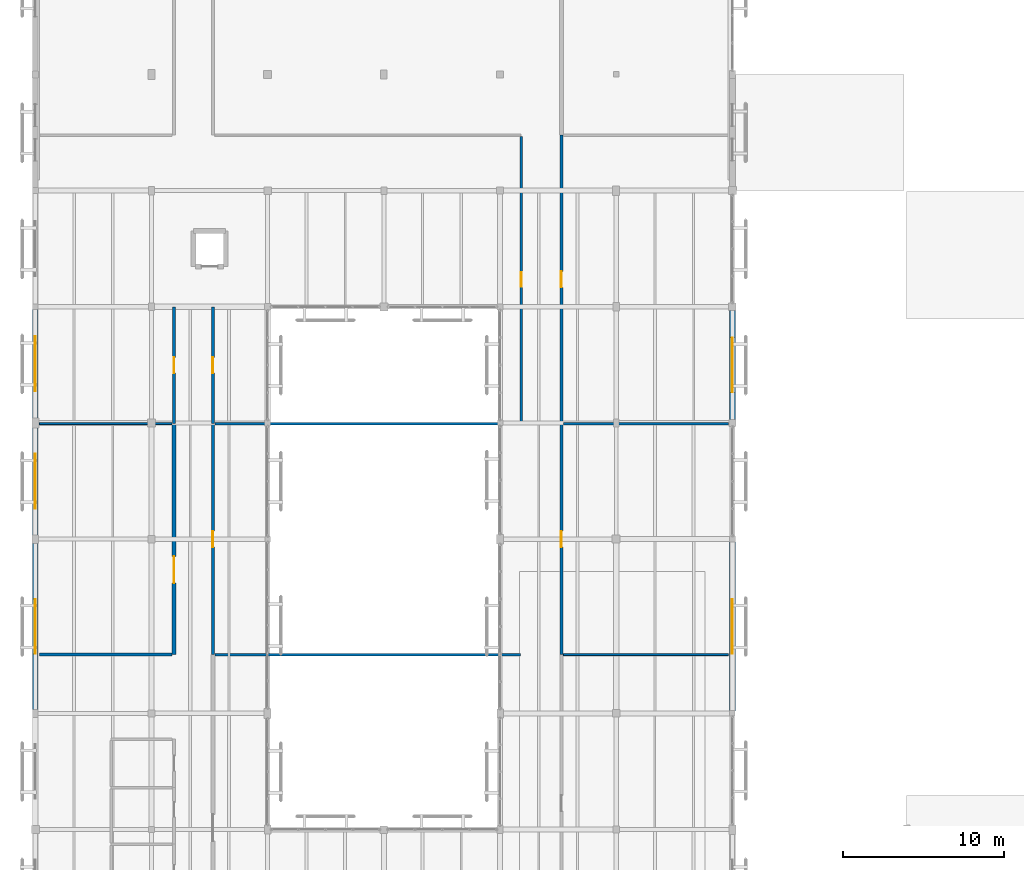
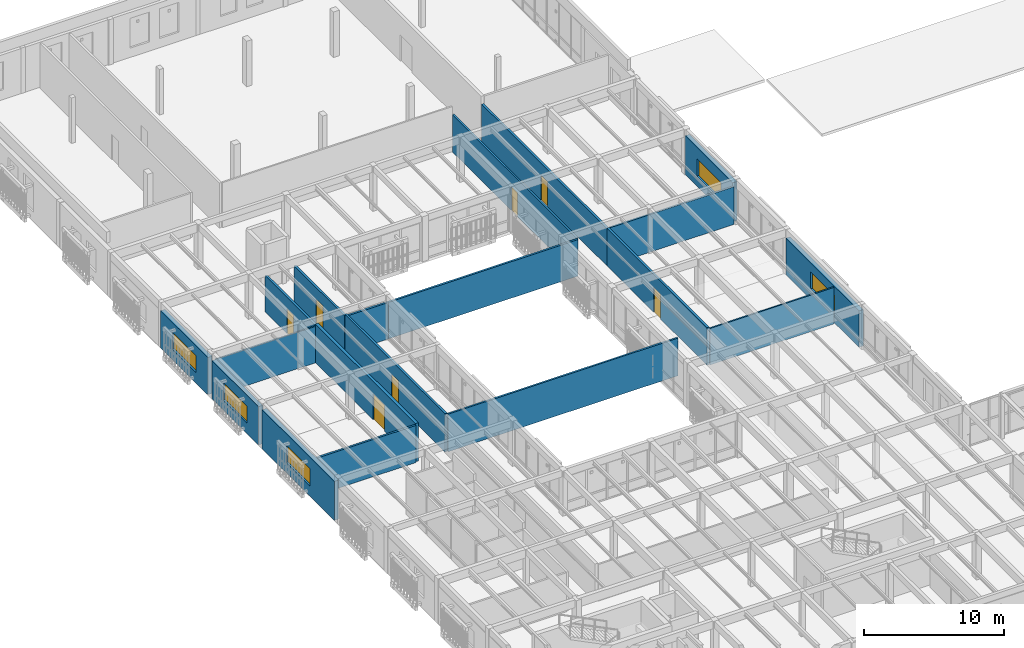
# One storey, part 81 of 112: 19 walls, 7 doors, 5 windows, 12 openings.
"""IFC4 building model written with IfcOpenShell, lengths in metres."""

from ifc_helpers import new_model, si_unit, direction, frame, frame_2d, origin, place, context, subcontext, project, spatial, rectangle, extrude, material, layer, layer_set, type_object, element, fill, save


model = new_model("IFC4")

# Units and contexts
model_context = context("Model", 3, precision=1e-05, world=origin(), true_north=direction((0.0, 1.0)))
body_context = subcontext(model_context, "Body", "Model", "MODEL_VIEW")
ifc_project = project(units=[si_unit("LENGTHUNIT", "METRE"), si_unit("AREAUNIT", "SQUARE_METRE"), si_unit("VOLUMEUNIT", "CUBIC_METRE"), si_unit("PLANEANGLEUNIT", "RADIAN"), si_unit("MASSUNIT", "GRAM", prefix="KILO")], contexts=[model_context])

# Site, building, storey
site_placement = place(None, origin())
site = spatial("IfcSite", under=ifc_project, at=site_placement, CompositionType="ELEMENT")
building_placement = place(site_placement, origin())
building = spatial("IfcBuilding", under=site, at=building_placement, Name="Mazaris Harbour Polytechnic", CompositionType="ELEMENT")
storey_placement = place(building_placement, frame((0.0, 0.0, 13.800048828125)))
storey = spatial("IfcBuildingStorey", under=building, at=storey_placement, Name="L03", CompositionType="ELEMENT", Elevation=13.800048828125)

# Walls
ifc_material_1 = material(Name="Gypsum Board and Mineral Wool")
ifc_layer_1 = layer(ifc_material_1, 0.1201171875, Name="Gypsum Board and Mineral Wool")
ifc_layer_set_1 = layer_set([ifc_layer_1], Name="Gypsum Board and Mineral Wool")
wall_type_1 = type_object("IfcWallType", Name="Acoustic Stud Partition 120", PredefinedType="PARTITIONING", material=ifc_layer_set_1)
wall_1_placement = place(storey_placement, frame((0.25, 61.155029296875, 0.0), z_axis=(0.0, 0.0, 1.0), x_axis=(1.0, 0.0, 0.0)))
element("IfcWall", 1, at=wall_1_placement, inside=storey, type_object=wall_type_1, Name="V4 L03 Partition 413", PredefinedType="PARTITIONING", context=body_context, shape_type="SweptSolid", body=[
    extrude(rectangle(XDim=8.219970703125, YDim=0.1201171875, at=frame_2d((4.10986328125, 0.0))), origin(), (0.0, 0.0, 1.0), 3.179931640625),
])
wall_2_placement = place(storey_placement, frame((32.719970703125, 46.846923828125, 0.0), z_axis=(0.0, 0.0, 1.0), x_axis=(1.0, 0.0, 0.0)))
element("IfcWall", 2, at=wall_2_placement, inside=storey, type_object=wall_type_1, Name="V4 L03 Partition 429", PredefinedType="PARTITIONING", context=body_context, shape_type="SweptSolid", body=[
    extrude(rectangle(XDim=10.22998046875, YDim=0.1201171875, at=frame_2d((5.114990234375, 0.0))), origin(), (0.0, 0.0, 1.0), 3.179931640625),
])

# Wall, opening, door
ifc_material_2 = material(Name="Concrete C35/45", Category="concrete")
ifc_layer_2 = layer(ifc_material_2, 0.239990234375, Name="Concrete C35/45")
ifc_layer_set_2 = layer_set([ifc_layer_2], Name="Concrete C35/45")
wall_type_2 = type_object("IfcWallType", Name="Archive Vault Fire Wall 240", PredefinedType="STANDARD", material=ifc_layer_set_2)
wall_3_placement = place(storey_placement, frame((8.60009765625, 46.846923828125, 0.0), z_axis=(0.0, 0.0, 1.0), x_axis=(0.0, 1.0, 0.0)))
wall_3 = element("IfcWall", 3, at=wall_3_placement, inside=storey, type_object=wall_type_2, Name="V4 L03 Partition 412", PredefinedType="STANDARD", context=body_context, shape_type="SweptSolid", body=[
    extrude(rectangle(XDim=14.30810546875, YDim=0.239990234375, at=frame_2d((7.154052734375, 0.0))), origin(), (0.0, 0.0, 1.0), 3.33984375),
])
opening_1_placement = place(wall_3_placement, frame((4.430419921875, 0.0, 0.0)))
opening_1 = element("IfcOpeningElement", 4, at=opening_1_placement, cuts=wall_3, Name="Opening ID-06D", PredefinedType="OPENING", context=body_context, shape_type="SweptSolid", body=[
    extrude(rectangle(XDim=1.64990234375, YDim=2.25, at=frame_2d((0.824951171875, 1.125))), frame((0.0, 0.1298828125, 0.0), z_axis=(0.0, -1.0, 0.0), x_axis=(1.0, 0.0, 0.0)), (0.0, 0.0, 1.0), 0.260009765625),
])
ifc_material_3 = material(Name="Galvanised Steel S355", Category="steel")
door_type_1 = type_object("IfcDoorType", Name="Plant and Substation Double Door 1650x2250", OperationType="DOUBLE_DOOR_SINGLE_SWING", PredefinedType="DOOR", material=ifc_material_3)
door_1_placement = place(opening_1_placement, origin())
door_1 = element("IfcDoor", 5, at=door_1_placement, inside=storey, type_object=door_type_1, Name="ID-0194", OperationType="DOUBLE_DOOR_SINGLE_SWING", OverallHeight=2.25, OverallWidth=1.64990234375, PredefinedType="DOOR", context=body_context, shape_type="SweptSolid", body=[
    extrude(rectangle(XDim=1.64990234375, YDim=2.25, at=frame_2d((0.824951171875, 1.125))), frame((0.0, 0.02490234375, 0.0), z_axis=(0.0, -1.0, 0.0), x_axis=(1.0, 0.0, 0.0)), (0.0, 0.0, 1.0), 0.050048828125),
])
fill(opening_1, door_1)

# Walls
ifc_material_4 = material(Name="Double Gypsum and Mineral Wool")
ifc_layer_3 = layer(ifc_material_4, 0.14990234375, Name="Double Gypsum and Mineral Wool")
ifc_layer_set_3 = layer_set([ifc_layer_3], Name="Double Gypsum and Mineral Wool")
wall_type_3 = type_object("IfcWallType", Name="Classroom Acoustic Partition 150", PredefinedType="PARTITIONING", material=ifc_layer_set_3)
wall_4_placement = place(storey_placement, frame((11.1298828125, 46.846923828125, 0.0), z_axis=(0.0, 0.0, 1.0), x_axis=(1.0, 0.0, 0.0)))
element("IfcWall", 6, at=wall_4_placement, inside=storey, type_object=wall_type_3, Name="V4 L03 Partition 420", PredefinedType="PARTITIONING", context=body_context, shape_type="SweptSolid", body=[
    extrude(rectangle(XDim=18.9501953125, YDim=0.14990234375, at=frame_2d((9.47509765625, 0.0))), origin(), (0.0, 0.0, 1.0), 3.280029296875),
])
wall_5_placement = place(storey_placement, frame((32.719970703125, 61.155029296875, 0.0), z_axis=(0.0, 0.0, 1.0), x_axis=(1.0, 0.0, 0.0)))
element("IfcWall", 7, at=wall_5_placement, inside=storey, type_object=wall_type_3, Name="V4 L03 Partition 431", PredefinedType="PARTITIONING", context=body_context, shape_type="SweptSolid", body=[
    extrude(rectangle(XDim=10.22998046875, YDim=0.14990234375, at=frame_2d((5.114990234375, 0.0))), origin(), (0.0, 0.0, 1.0), 3.280029296875),
])

# Wall, opening, door
ifc_material_5 = material(Name="Terracotta Block and Plaster", Category="masonry")
ifc_layer_4 = layer(ifc_material_5, 0.179931640625, Name="Terracotta Block and Plaster")
ifc_layer_set_4 = layer_set([ifc_layer_4], Name="Terracotta Block and Plaster")
wall_type_4 = type_object("IfcWallType", Name="Corridor Fire Partition 180", PredefinedType="PARTITIONING", material=ifc_layer_set_4)
wall_6_placement = place(storey_placement, frame((8.60009765625, 61.159912109375, 0.0), z_axis=(0.0, 0.0, 1.0), x_axis=(0.0, 1.0, 0.0)))
wall_6 = element("IfcWall", 8, at=wall_6_placement, inside=storey, type_object=wall_type_4, Name="V4 L03 Partition 414", PredefinedType="PARTITIONING", context=body_context, shape_type="SweptSolid", body=[
    extrude(rectangle(XDim=7.235107421875, YDim=0.179931640625, at=frame_2d((3.61767578125, 0.0))), origin(), (0.0, 0.0, 1.0), 3.179931640625),
])
opening_2_placement = place(wall_6_placement, frame((3.12744140625, 0.0, 0.0)))
opening_2 = element("IfcOpeningElement", 9, at=opening_2_placement, cuts=wall_6, Name="Opening ID-08L", PredefinedType="OPENING", context=body_context, shape_type="SweptSolid", body=[
    extrude(rectangle(XDim=0.97998046875, YDim=2.179931640625, at=frame_2d((0.489990234375, 1.08984375))), frame((0.0, 0.099853515625, 0.0), z_axis=(0.0, -1.0, 0.0), x_axis=(1.0, 0.0, 0.0)), (0.0, 0.0, 1.0), 0.199951171875),
])
ifc_material_6 = material(Name="Solid Oak Timber", Category="wood")
door_type_2 = type_object("IfcDoorType", Name="Seminar Room Door LH 980x2180", OperationType="SINGLE_SWING_LEFT", PredefinedType="DOOR", material=ifc_material_6)
door_2_placement = place(opening_2_placement, origin())
door_2 = element("IfcDoor", 10, at=door_2_placement, inside=storey, type_object=door_type_2, Name="ID-0195", OperationType="SINGLE_SWING_LEFT", OverallHeight=2.179931640625, OverallWidth=0.97998046875, PredefinedType="DOOR", context=body_context, shape_type="SweptSolid", body=[
    extrude(rectangle(XDim=0.97998046875, YDim=2.179931640625, at=frame_2d((0.489990234375, 1.08984375))), frame((0.0, 0.02490234375, 0.0), z_axis=(0.0, -1.0, 0.0), x_axis=(1.0, 0.0, 0.0)), (0.0, 0.0, 1.0), 0.050048828125),
])
fill(opening_2, door_2)

wall_7_placement = place(storey_placement, frame((11.0, 46.85205078125, 0.0), z_axis=(0.0, 0.0, 1.0), x_axis=(0.0, 1.0, 0.0)))
wall_7 = element("IfcWall", 11, at=wall_7_placement, inside=storey, type_object=wall_type_4, Name="V4 L03 Partition 421", PredefinedType="PARTITIONING", context=body_context, shape_type="SweptSolid", body=[
    extrude(rectangle(XDim=14.302978515625, YDim=0.179931640625, at=frame_2d((7.1513671875, 0.0))), origin(), (0.0, 0.0, 1.0), 3.33984375),
])
opening_3_placement = place(wall_7_placement, frame((6.66162109375, 0.0, 0.0)))
opening_3 = element("IfcOpeningElement", 12, at=opening_3_placement, cuts=wall_7, Name="Opening ID-08L", PredefinedType="OPENING", context=body_context, shape_type="SweptSolid", body=[
    extrude(rectangle(XDim=0.97998046875, YDim=2.179931640625, at=frame_2d((0.489990234375, 1.08984375))), frame((0.0, 0.099853515625, 0.0), z_axis=(0.0, -1.0, 0.0), x_axis=(1.0, 0.0, 0.0)), (0.0, 0.0, 1.0), 0.199951171875),
])
door_3_placement = place(opening_3_placement, origin())
door_3 = element("IfcDoor", 13, at=door_3_placement, inside=storey, type_object=door_type_2, Name="ID-0199", OperationType="SINGLE_SWING_LEFT", OverallHeight=2.179931640625, OverallWidth=0.97998046875, PredefinedType="DOOR", context=body_context, shape_type="SweptSolid", body=[
    extrude(rectangle(XDim=0.97998046875, YDim=2.179931640625, at=frame_2d((0.489990234375, 1.08984375))), frame((0.0, 0.02490234375, 0.0), z_axis=(0.0, -1.0, 0.0), x_axis=(1.0, 0.0, 0.0)), (0.0, 0.0, 1.0), 0.050048828125),
])
fill(opening_3, door_3)

wall_8_placement = place(storey_placement, frame((11.0, 61.159912109375, 0.0), z_axis=(0.0, 0.0, 1.0), x_axis=(0.0, 1.0, 0.0)))
wall_8 = element("IfcWall", 14, at=wall_8_placement, inside=storey, type_object=wall_type_4, Name="V4 L03 Partition 423", PredefinedType="PARTITIONING", context=body_context, shape_type="SweptSolid", body=[
    extrude(rectangle(XDim=7.235107421875, YDim=0.179931640625, at=frame_2d((3.61767578125, 0.0))), origin(), (0.0, 0.0, 1.0), 3.179931640625),
])
opening_4_placement = place(wall_8_placement, frame((3.12255859375, 0.0, 0.0)))
opening_4 = element("IfcOpeningElement", 15, at=opening_4_placement, cuts=wall_8, Name="Opening ID-08R", PredefinedType="OPENING", context=body_context, shape_type="SweptSolid", body=[
    extrude(rectangle(XDim=0.989990234375, YDim=2.179931640625, at=frame_2d((0.4951171875, 1.08984375))), frame((0.0, 0.099853515625, 0.0), z_axis=(0.0, -1.0, 0.0), x_axis=(1.0, 0.0, 0.0)), (0.0, 0.0, 1.0), 0.199951171875),
])
ifc_material_7 = material(Name="Solid Oak Timber", Category="wood")
door_type_3 = type_object("IfcDoorType", Name="Seminar Room Door RH 990x2180", OperationType="SINGLE_SWING_RIGHT", PredefinedType="DOOR", material=ifc_material_7)
door_4_placement = place(opening_4_placement, origin())
door_4 = element("IfcDoor", 16, at=door_4_placement, inside=storey, type_object=door_type_3, Name="ID-0200", OperationType="SINGLE_SWING_RIGHT", OverallHeight=2.179931640625, OverallWidth=0.989990234375, PredefinedType="DOOR", context=body_context, shape_type="SweptSolid", body=[
    extrude(rectangle(XDim=0.989990234375, YDim=2.179931640625, at=frame_2d((0.4951171875, 1.08984375))), frame((0.0, 0.02490234375, 0.0), z_axis=(0.0, -1.0, 0.0), x_axis=(1.0, 0.0, 0.0)), (0.0, 0.0, 1.0), 0.050048828125),
])
fill(opening_4, door_4)

wall_9_placement = place(storey_placement, frame((32.60009765625, 46.85205078125, 0.0), z_axis=(0.0, 0.0, 1.0), x_axis=(0.0, 1.0, 0.0)))
wall_9 = element("IfcWall", 17, at=wall_9_placement, inside=storey, type_object=wall_type_4, Name="V4 L03 Partition 430", PredefinedType="PARTITIONING", context=body_context, shape_type="SweptSolid", body=[
    extrude(rectangle(XDim=14.302978515625, YDim=0.179931640625, at=frame_2d((7.1513671875, 0.0))), origin(), (0.0, 0.0, 1.0), 3.280029296875),
])
opening_5_placement = place(wall_9_placement, frame((6.656494140625, 0.0, 0.0)))
opening_5 = element("IfcOpeningElement", 18, at=opening_5_placement, cuts=wall_9, Name="Opening ID-08R", PredefinedType="OPENING", context=body_context, shape_type="SweptSolid", body=[
    extrude(rectangle(XDim=0.989990234375, YDim=2.179931640625, at=frame_2d((0.4951171875, 1.08984375))), frame((0.0, 0.099853515625, 0.0), z_axis=(0.0, -1.0, 0.0), x_axis=(1.0, 0.0, 0.0)), (0.0, 0.0, 1.0), 0.199951171875),
])
door_5_placement = place(opening_5_placement, origin())
door_5 = element("IfcDoor", 19, at=door_5_placement, inside=storey, type_object=door_type_3, Name="ID-0204", OperationType="SINGLE_SWING_RIGHT", OverallHeight=2.179931640625, OverallWidth=0.989990234375, PredefinedType="DOOR", context=body_context, shape_type="SweptSolid", body=[
    extrude(rectangle(XDim=0.989990234375, YDim=2.179931640625, at=frame_2d((0.4951171875, 1.08984375))), frame((0.0, 0.02490234375, 0.0), z_axis=(0.0, -1.0, 0.0), x_axis=(1.0, 0.0, 0.0)), (0.0, 0.0, 1.0), 0.050048828125),
])
fill(opening_5, door_5)

wall_10_placement = place(storey_placement, frame((32.60009765625, 61.159912109375, 0.0), z_axis=(0.0, 0.0, 1.0), x_axis=(0.0, 1.0, 0.0)))
wall_10 = element("IfcWall", 20, at=wall_10_placement, inside=storey, type_object=wall_type_4, Name="V4 L03 Partition 432", PredefinedType="PARTITIONING", context=body_context, shape_type="SweptSolid", body=[
    extrude(rectangle(XDim=17.880126953125, YDim=0.179931640625, at=frame_2d((8.93994140625, 0.0))), origin(), (0.0, 0.0, 1.0), 3.239990234375),
])
opening_6_placement = place(wall_10_placement, frame((8.449951171875, 0.0, 0.0)))
opening_6 = element("IfcOpeningElement", 21, at=opening_6_placement, cuts=wall_10, Name="Opening ID-08L", PredefinedType="OPENING", context=body_context, shape_type="SweptSolid", body=[
    extrude(rectangle(XDim=0.97998046875, YDim=2.179931640625, at=frame_2d((0.489990234375, 1.08984375))), frame((0.0, 0.099853515625, 0.0), z_axis=(0.0, -1.0, 0.0), x_axis=(1.0, 0.0, 0.0)), (0.0, 0.0, 1.0), 0.199951171875),
])
door_6_placement = place(opening_6_placement, origin())
door_6 = element("IfcDoor", 22, at=door_6_placement, inside=storey, type_object=door_type_2, Name="ID-0205", OperationType="SINGLE_SWING_LEFT", OverallHeight=2.179931640625, OverallWidth=0.97998046875, PredefinedType="DOOR", context=body_context, shape_type="SweptSolid", body=[
    extrude(rectangle(XDim=0.97998046875, YDim=2.179931640625, at=frame_2d((0.489990234375, 1.08984375))), frame((0.0, 0.02490234375, 0.0), z_axis=(0.0, -1.0, 0.0), x_axis=(1.0, 0.0, 0.0)), (0.0, 0.0, 1.0), 0.050048828125),
])
fill(opening_6, door_6)

# Walls
ifc_material_8 = material(Name="Fireboard and Mineral Wool")
ifc_layer_5 = layer(ifc_material_8, 0.1650390625, Name="Fireboard and Mineral Wool")
ifc_layer_set_5 = layer_set([ifc_layer_5], Name="Fireboard and Mineral Wool")
wall_type_5 = type_object("IfcWallType", Name="Laboratory Rated Partition 165", PredefinedType="PARTITIONING", material=ifc_layer_set_5)
wall_11_placement = place(storey_placement, frame((0.25, 46.846923828125, 0.0), z_axis=(0.0, 0.0, 1.0), x_axis=(1.0, 0.0, 0.0)))
element("IfcWall", 23, at=wall_11_placement, inside=storey, type_object=wall_type_5, Name="V4 L03 Partition 411", PredefinedType="PARTITIONING", context=body_context, shape_type="SweptSolid", body=[
    extrude(rectangle(XDim=8.22998046875, YDim=0.1650390625, at=frame_2d((4.114990234375, 0.0))), origin(), (0.0, 0.0, 1.0), 3.239990234375),
])
wall_12_placement = place(storey_placement, frame((11.1201171875, 61.155029296875, 0.0), z_axis=(0.0, 0.0, 1.0), x_axis=(1.0, 0.0, 0.0)))
element("IfcWall", 24, at=wall_12_placement, inside=storey, type_object=wall_type_5, Name="V4 L03 Partition 422", PredefinedType="PARTITIONING", context=body_context, shape_type="SweptSolid", body=[
    extrude(rectangle(XDim=3.35986328125, YDim=0.1650390625, at=frame_2d((1.679931640625, 0.0))), origin(), (0.0, 0.0, 1.0), 3.179931640625),
])
wall_13_placement = place(storey_placement, frame((14.485107421875, 61.155029296875, 0.0), z_axis=(0.0, 0.0, 1.0), x_axis=(1.0, 0.0, 0.0)))
element("IfcWall", 25, at=wall_13_placement, inside=storey, type_object=wall_type_5, Name="V4 L03 Partition 424", PredefinedType="PARTITIONING", context=body_context, shape_type="SweptSolid", body=[
    extrude(rectangle(XDim=15.594970703125, YDim=0.1650390625, at=frame_2d((7.79736328125, 0.0))), origin(), (0.0, 0.0, 1.0), 3.179931640625),
])

# Wall, opening, window
ifc_material_9 = material(Name="Algerian Buff Limestone and Concrete C30/37", Category="masonry")
ifc_layer_6 = layer(ifc_material_9, 0.360107421875, Name="Algerian Buff Limestone and Concrete C30/37")
ifc_layer_set_6 = layer_set([ifc_layer_6], Name="Algerian Buff Limestone and Concrete C30/37")
wall_type_6 = type_object("IfcWallType", Name="Limestone Ashlar Exterior Wall 360", PredefinedType="STANDARD", material=ifc_layer_set_6)
wall_14_placement = place(storey_placement, frame((0.0, 43.431884765625, 0.0), z_axis=(0.0, 0.0, 1.0), x_axis=(0.0, 1.0, 0.0)))
wall_14 = element("IfcWall", 26, at=wall_14_placement, inside=storey, type_object=wall_type_6, Name="V4 L03 Exterior Wall 233", PredefinedType="STANDARD", context=body_context, shape_type="SweptSolid", body=[
    extrude(rectangle(XDim=10.30615234375, YDim=0.360107421875, at=frame_2d((5.153076171875, 0.0))), origin(), (0.0, 0.0, 1.0), 3.39990234375),
])
opening_7_placement = place(wall_14_placement, frame((3.452880859375, 0.0, 0.89990234375)))
opening_7 = element("IfcOpeningElement", 27, at=opening_7_placement, cuts=wall_14, Name="Opening WN-16", PredefinedType="OPENING", context=body_context, shape_type="SweptSolid", body=[
    extrude(rectangle(XDim=3.39990234375, YDim=1.5, at=frame_2d((1.699951171875, 0.75))), frame((0.0, 0.18994140625, 0.0), z_axis=(0.0, -1.0, 0.0), x_axis=(1.0, 0.0, 0.0)), (0.0, 0.0, 1.0), 0.380126953125),
])
ifc_material_10 = material(Name="Thermally Broken Bronze Aluminium and Low-E Glass", Category="aluminium")
window_type = type_object("IfcWindowType", Name="Workshop Clerestory Ribbon 3400x1500", PartitioningType="DOUBLE_PANEL_VERTICAL", PredefinedType="WINDOW", material=ifc_material_10)
window_1_placement = place(opening_7_placement, origin())
window_1 = element("IfcWindow", 28, at=window_1_placement, inside=storey, type_object=window_type, Name="WN-0243", OverallHeight=1.5, OverallWidth=3.39990234375, PartitioningType="DOUBLE_PANEL_VERTICAL", PredefinedType="WINDOW", context=body_context, shape_type="SweptSolid", body=[
    extrude(rectangle(XDim=3.39990234375, YDim=1.5, at=frame_2d((1.699951171875, 0.75))), frame((0.0, 0.030029296875, 0.0), z_axis=(0.0, -1.0, 0.0), x_axis=(1.0, 0.0, 0.0)), (0.0, 0.0, 1.0), 0.06005859375),
])
fill(opening_7, window_1)

wall_15_placement = place(storey_placement, frame((0.0, 54.261962890625, 0.0), z_axis=(0.0, 0.0, 1.0), x_axis=(0.0, 1.0, 0.0)))
wall_15 = element("IfcWall", 29, at=wall_15_placement, inside=storey, type_object=wall_type_6, Name="V4 L03 Exterior Wall 234", PredefinedType="STANDARD", context=body_context, shape_type="SweptSolid", body=[
    extrude(rectangle(XDim=6.64599609375, YDim=0.360107421875, at=frame_2d((3.322998046875, 0.0))), origin(), (0.0, 0.0, 1.0), 3.33984375),
])
opening_8_placement = place(wall_15_placement, frame((1.623046875, 0.0, 0.89990234375)))
opening_8 = element("IfcOpeningElement", 30, at=opening_8_placement, cuts=wall_15, Name="Opening WN-16", PredefinedType="OPENING", context=body_context, shape_type="SweptSolid", body=[
    extrude(rectangle(XDim=3.39990234375, YDim=1.5, at=frame_2d((1.699951171875, 0.75))), frame((0.0, 0.18994140625, 0.0), z_axis=(0.0, -1.0, 0.0), x_axis=(1.0, 0.0, 0.0)), (0.0, 0.0, 1.0), 0.380126953125),
])
window_2_placement = place(opening_8_placement, origin())
window_2 = element("IfcWindow", 31, at=window_2_placement, inside=storey, type_object=window_type, Name="WN-0244", OverallHeight=1.5, OverallWidth=3.39990234375, PartitioningType="DOUBLE_PANEL_VERTICAL", PredefinedType="WINDOW", context=body_context, shape_type="SweptSolid", body=[
    extrude(rectangle(XDim=3.39990234375, YDim=1.5, at=frame_2d((1.699951171875, 0.75))), frame((0.0, 0.030029296875, 0.0), z_axis=(0.0, -1.0, 0.0), x_axis=(1.0, 0.0, 0.0)), (0.0, 0.0, 1.0), 0.06005859375),
])
fill(opening_8, window_2)

wall_16_placement = place(storey_placement, frame((0.0, 61.491943359375, 0.0), z_axis=(0.0, 0.0, 1.0), x_axis=(0.0, 1.0, 0.0)))
wall_16 = element("IfcWall", 32, at=wall_16_placement, inside=storey, type_object=wall_type_6, Name="V4 L03 Exterior Wall 235", PredefinedType="STANDARD", context=body_context, shape_type="SweptSolid", body=[
    extrude(rectangle(XDim=6.74609375, YDim=0.360107421875, at=frame_2d((3.373046875, 0.0))), origin(), (0.0, 0.0, 1.0), 3.239990234375),
])
opening_9_placement = place(wall_16_placement, frame((1.673095703125, 0.0, 0.89990234375)))
opening_9 = element("IfcOpeningElement", 33, at=opening_9_placement, cuts=wall_16, Name="Opening WN-16", PredefinedType="OPENING", context=body_context, shape_type="SweptSolid", body=[
    extrude(rectangle(XDim=3.39990234375, YDim=1.5, at=frame_2d((1.699951171875, 0.75))), frame((0.0, 0.18994140625, 0.0), z_axis=(0.0, -1.0, 0.0), x_axis=(1.0, 0.0, 0.0)), (0.0, 0.0, 1.0), 0.380126953125),
])
window_3_placement = place(opening_9_placement, origin())
window_3 = element("IfcWindow", 34, at=window_3_placement, inside=storey, type_object=window_type, Name="WN-0245", OverallHeight=1.5, OverallWidth=3.39990234375, PartitioningType="DOUBLE_PANEL_VERTICAL", PredefinedType="WINDOW", context=body_context, shape_type="SweptSolid", body=[
    extrude(rectangle(XDim=3.39990234375, YDim=1.5, at=frame_2d((1.699951171875, 0.75))), frame((0.0, 0.030029296875, 0.0), z_axis=(0.0, -1.0, 0.0), x_axis=(1.0, 0.0, 0.0)), (0.0, 0.0, 1.0), 0.06005859375),
])
fill(opening_9, window_3)

wall_17_placement = place(storey_placement, frame((43.199951171875, 53.818115234375, 0.0), z_axis=(0.0, 0.0, 1.0), x_axis=(0.0, -1.0, 0.0)))
wall_17 = element("IfcWall", 35, at=wall_17_placement, inside=storey, type_object=wall_type_6, Name="V4 L03 Exterior Wall 242", PredefinedType="STANDARD", context=body_context, shape_type="SweptSolid", body=[
    extrude(rectangle(XDim=10.4560546875, YDim=0.360107421875, at=frame_2d((5.22802734375, 0.0))), origin(), (0.0, 0.0, 1.0), 3.179931640625),
])
opening_10_placement = place(wall_17_placement, frame((3.528076171875, 0.0, 0.89990234375)))
opening_10 = element("IfcOpeningElement", 36, at=opening_10_placement, cuts=wall_17, Name="Opening WN-16", PredefinedType="OPENING", context=body_context, shape_type="SweptSolid", body=[
    extrude(rectangle(XDim=3.39990234375, YDim=1.5, at=frame_2d((1.699951171875, 0.75))), frame((0.0, 0.18994140625, 0.0), z_axis=(0.0, -1.0, 0.0), x_axis=(1.0, 0.0, 0.0)), (0.0, 0.0, 1.0), 0.380126953125),
])
window_4_placement = place(opening_10_placement, origin())
window_4 = element("IfcWindow", 37, at=window_4_placement, inside=storey, type_object=window_type, Name="WN-0256", OverallHeight=1.5, OverallWidth=3.39990234375, PartitioningType="DOUBLE_PANEL_VERTICAL", PredefinedType="WINDOW", context=body_context, shape_type="SweptSolid", body=[
    extrude(rectangle(XDim=3.39990234375, YDim=1.5, at=frame_2d((1.699951171875, 0.75))), frame((0.0, 0.030029296875, 0.0), z_axis=(0.0, -1.0, 0.0), x_axis=(1.0, 0.0, 0.0)), (0.0, 0.0, 1.0), 0.06005859375),
])
fill(opening_10, window_4)

wall_18_placement = place(storey_placement, frame((43.199951171875, 68.177978515625, 0.0), z_axis=(0.0, 0.0, 1.0), x_axis=(0.0, -1.0, 0.0)))
wall_18 = element("IfcWall", 38, at=wall_18_placement, inside=storey, type_object=wall_type_6, Name="V4 L03 Exterior Wall 243", PredefinedType="STANDARD", context=body_context, shape_type="SweptSolid", body=[
    extrude(rectangle(XDim=6.77587890625, YDim=0.360107421875, at=frame_2d((3.387939453125, 0.0))), origin(), (0.0, 0.0, 1.0), 3.39990234375),
])
opening_11_placement = place(wall_18_placement, frame((1.68798828125, 0.0, 0.89990234375)))
opening_11 = element("IfcOpeningElement", 39, at=opening_11_placement, cuts=wall_18, Name="Opening WN-16", PredefinedType="OPENING", context=body_context, shape_type="SweptSolid", body=[
    extrude(rectangle(XDim=3.39990234375, YDim=1.5, at=frame_2d((1.699951171875, 0.75))), frame((0.0, 0.18994140625, 0.0), z_axis=(0.0, -1.0, 0.0), x_axis=(1.0, 0.0, 0.0)), (0.0, 0.0, 1.0), 0.380126953125),
])
window_5_placement = place(opening_11_placement, origin())
window_5 = element("IfcWindow", 40, at=window_5_placement, inside=storey, type_object=window_type, Name="WN-0257", OverallHeight=1.5, OverallWidth=3.39990234375, PartitioningType="DOUBLE_PANEL_VERTICAL", PredefinedType="WINDOW", context=body_context, shape_type="SweptSolid", body=[
    extrude(rectangle(XDim=3.39990234375, YDim=1.5, at=frame_2d((1.699951171875, 0.75))), frame((0.0, 0.030029296875, 0.0), z_axis=(0.0, -1.0, 0.0), x_axis=(1.0, 0.0, 0.0)), (0.0, 0.0, 1.0), 0.06005859375),
])
fill(opening_11, window_5)

# Wall, opening, door
ifc_material_11 = material(Name="Moisture-Resistant Gypsum and Steel Stud", Category="steel")
ifc_layer_7 = layer(ifc_material_11, 0.14501953125, Name="Moisture-Resistant Gypsum and Steel Stud")
ifc_layer_set_7 = layer_set([ifc_layer_7], Name="Moisture-Resistant Gypsum and Steel Stud")
wall_type_7 = type_object("IfcWallType", Name="Sanitary Plumbing Wall 145", PredefinedType="PLUMBINGWALL", material=ifc_layer_set_7)
wall_19_placement = place(storey_placement, frame((30.1201171875, 78.9599609375, 0.0), z_axis=(0.0, 0.0, 1.0), x_axis=(0.0, -1.0, 0.0)))
wall_19 = element("IfcWall", 41, at=wall_19_placement, inside=storey, type_object=wall_type_7, Name="V4 L03 Partition 691", PredefinedType="PLUMBINGWALL", context=body_context, shape_type="SweptSolid", body=[
    extrude(rectangle(XDim=17.724853515625, YDim=0.14501953125, at=frame_2d((8.8623046875, 0.0))), origin(), (0.0, 0.0, 1.0), 3.239990234375),
])
opening_12_placement = place(wall_19_placement, frame((8.41259765625, 0.0, 0.0)))
opening_12 = element("IfcOpeningElement", 42, at=opening_12_placement, cuts=wall_19, Name="Opening ID-07R", PredefinedType="OPENING", context=body_context, shape_type="SweptSolid", body=[
    extrude(rectangle(XDim=0.89990234375, YDim=2.10009765625, at=frame_2d((0.449951171875, 1.050048828125))), frame((0.0, 0.08251953125, 0.0), z_axis=(0.0, -1.0, 0.0), x_axis=(1.0, 0.0, 0.0)), (0.0, 0.0, 1.0), 0.1650390625),
])
ifc_material_12 = material(Name="Moisture-Resistant Laminate Timber", Category="wood")
door_type_4 = type_object("IfcDoorType", Name="Sanitary Room Door RH 900x2100", OperationType="SINGLE_SWING_RIGHT", PredefinedType="DOOR", material=ifc_material_12)
door_7_placement = place(opening_12_placement, origin())
door_7 = element("IfcDoor", 43, at=door_7_placement, inside=storey, type_object=door_type_4, Name="ID-0336", OperationType="SINGLE_SWING_RIGHT", OverallHeight=2.10009765625, OverallWidth=0.89990234375, PredefinedType="DOOR", context=body_context, shape_type="SweptSolid", body=[
    extrude(rectangle(XDim=0.89990234375, YDim=2.10009765625, at=frame_2d((0.449951171875, 1.050048828125))), frame((0.0, 0.02490234375, 0.0), z_axis=(0.0, -1.0, 0.0), x_axis=(1.0, 0.0, 0.0)), (0.0, 0.0, 1.0), 0.050048828125),
])
fill(opening_12, door_7)

save(model, "model.ifc")
